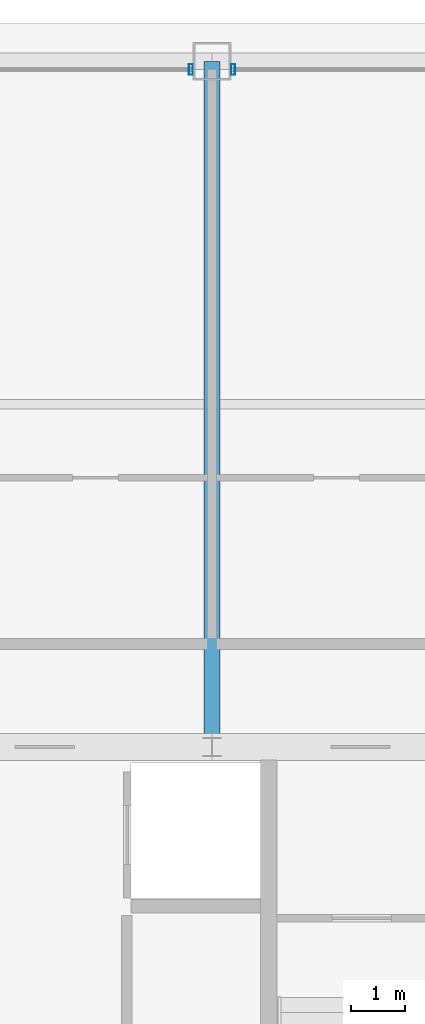
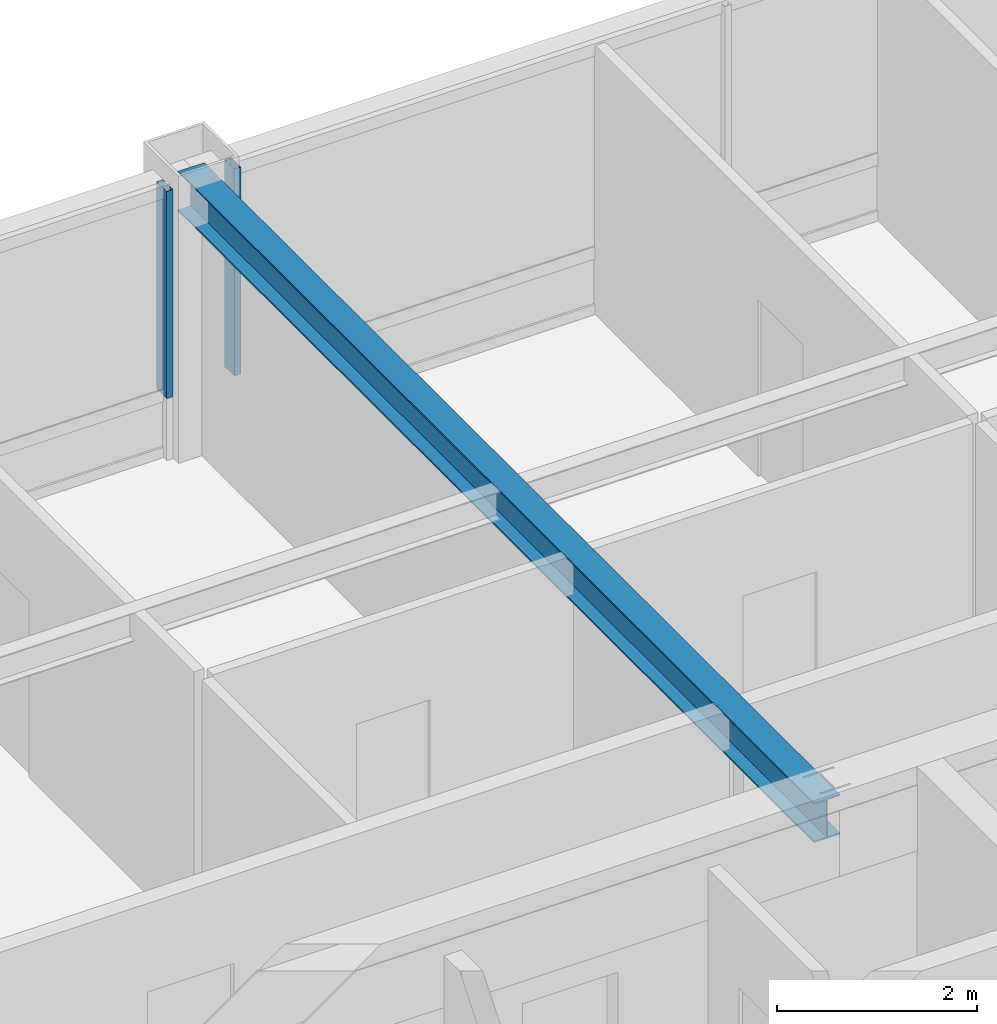
# One storey, part 17 of 35: 2 members, 1 beam, 2 elements without a shape of their own.
"""IFC4 building model written with IfcOpenShell, lengths in metres."""

from ifc_helpers import new_model, si_unit, direction, frame, origin, origin_2d, place, context, subcontext, project, spatial, hollow_rectangle, i_section, extrude, source, transform, mapped, material, layer, layer_set, material_profile, profile_set, type_object, element, aggregate, save


model = new_model("IFC4")

# Units and contexts
model_context = context("Model", 3, precision=1e-05, world=origin(), true_north=direction((0.0, 1.0)))
body_context = subcontext(model_context, "Body", "Model", "MODEL_VIEW")
ifc_project = project(units=[si_unit("LENGTHUNIT", "METRE"), si_unit("AREAUNIT", "SQUARE_METRE"), si_unit("VOLUMEUNIT", "CUBIC_METRE"), si_unit("PLANEANGLEUNIT", "RADIAN"), si_unit("MASSUNIT", "GRAM", prefix="KILO"), si_unit("THERMODYNAMICTEMPERATUREUNIT", "KELVIN"), si_unit("POWERUNIT", "WATT")], contexts=[model_context])

# Site, building, storey
site_placement = place(None, origin())
site = spatial("IfcSite", under=ifc_project, at=site_placement, CompositionType="ELEMENT")
building_placement = place(site_placement, origin())
building = spatial("IfcBuilding", under=site, at=building_placement, Name="Yuzanri Waterfront Tower", CompositionType="ELEMENT")
storey_placement = place(building_placement, frame((0.0, 0.0, 299.60009765625)))
storey = spatial("IfcBuildingStorey", under=building, at=storey_placement, Name="L80", CompositionType="ELEMENT", Elevation=299.60009765625)

# Beam
ifc_material_1 = material(Name="Steel Q355B", Category="steel")
ifc_material_profile_1 = material_profile(ifc_material_1, i_section(OverallWidth=0.300048828125, OverallDepth=0.488037109375, WebThickness=0.010986328125, FlangeThickness=0.01806640625, at=origin_2d()), Name="HM 488x300x11x18")
ifc_profile_set_1 = profile_set([ifc_material_profile_1], Name="Steel Q355B")
beam_type = type_object("IfcBeamType", Name="Primary Floor Girder Q355B HM 488x300", PredefinedType="BEAM", material=ifc_profile_set_1)
shared_shape_1 = source(origin(), body_context, "Body", "SweptSolid", [
    extrude(i_section(OverallWidth=0.300048828125, OverallDepth=0.488037109375, WebThickness=0.010986328125, FlangeThickness=0.01806640625, at=origin_2d()), origin(), (0.0, 0.0, 1.0), 12.699951171875),
])
beam_placement = place(storey_placement, frame((37.0, 32.199951171875, 3.035888671875), z_axis=(0.0, 1.0, 0.0), x_axis=(-1.0, 0.0, 0.0)))
element("IfcBeam", 1, at=beam_placement, inside=storey, type_object=beam_type, Name="L80 North Grid Girder", PredefinedType="BEAM", context=body_context, shape_type="MappedRepresentation", body=[
    mapped(shared_shape_1, transform((0.0, 0.0, 0.0), scale=1.0)),
])

# Curtain wall, member
ifc_material_2 = material(Name="Anodized Architectural Bronze", Category="metal")
ifc_layer = layer(ifc_material_2, 0.159912109375)
ifc_layer_set = layer_set([ifc_layer], Name="Anodized Architectural Bronze")
curtain_wall_type = type_object("IfcCurtainWallType", Name="Anodized Bronze High-Rise Penthouse High-Wind Unitized Curtain Wall 6900", PredefinedType="NOTDEFINED", material=ifc_layer_set)
curtain_wall_1_placement = place(storey_placement, origin())
curtain_wall_1 = element("IfcCurtainWall", 2, at=curtain_wall_1_placement, inside=storey, type_object=curtain_wall_type, Name="L80 Curtain Wall CW-L80-NL", PredefinedType="NOTDEFINED")
ifc_material_3 = material(Name="Anodized Architectural Bronze", Category="metal")
ifc_material_profile_2 = material_profile(ifc_material_3, hollow_rectangle(XDim=0.074951171875, YDim=0.199951171875, WallThickness=0.00390625, at=origin_2d()), Name="CWM 75x200")
ifc_profile_set_2 = profile_set([ifc_material_profile_2], Name="Anodized Architectural Bronze")
member_type = type_object("IfcMemberType", Name="Anodized Bronze Primary Curtain-Wall Mullion 75x200", PredefinedType="MULLION", material=ifc_profile_set_2)
shared_shape_2 = source(origin(), body_context, "Body", "SweptSolid", [
    extrude(hollow_rectangle(XDim=0.074951171875, YDim=0.199951171875, WallThickness=0.00390625, at=origin_2d()), origin(), (0.0, 0.0, 1.0), 2.52392578125),
])
member_1_placement = place(storey_placement, frame((36.610107421875, 44.75, 0.755859375), z_axis=(0.0, 0.0, 1.0), x_axis=(1.0, 0.0, 0.0)))
member_1 = element("IfcMember", 3, at=member_1_placement, type_object=member_type, Name="CW-L80-NL Upper Mullion 02", PredefinedType="MULLION", context=body_context, shape_type="MappedRepresentation", body=[
    mapped(shared_shape_2, transform((0.0, 0.0, 0.0), scale=1.0)),
])
aggregate(curtain_wall_1, [member_1])

curtain_wall_2_placement = place(storey_placement, origin())
curtain_wall_2 = element("IfcCurtainWall", 4, at=curtain_wall_2_placement, inside=storey, type_object=curtain_wall_type, Name="L80 Curtain Wall CW-L80-NR", PredefinedType="NOTDEFINED")
member_2_placement = place(storey_placement, frame((37.389892578125, 44.75, 0.755859375), z_axis=(0.0, 0.0, 1.0), x_axis=(1.0, 0.0, 0.0)))
member_2 = element("IfcMember", 5, at=member_2_placement, type_object=member_type, Name="CW-L80-NR Upper Mullion 00", PredefinedType="MULLION", context=body_context, shape_type="MappedRepresentation", body=[
    mapped(shared_shape_2, transform((0.0, 0.0, 0.0), scale=1.0)),
])
aggregate(curtain_wall_2, [member_2])

save(model, "model.ifc")
